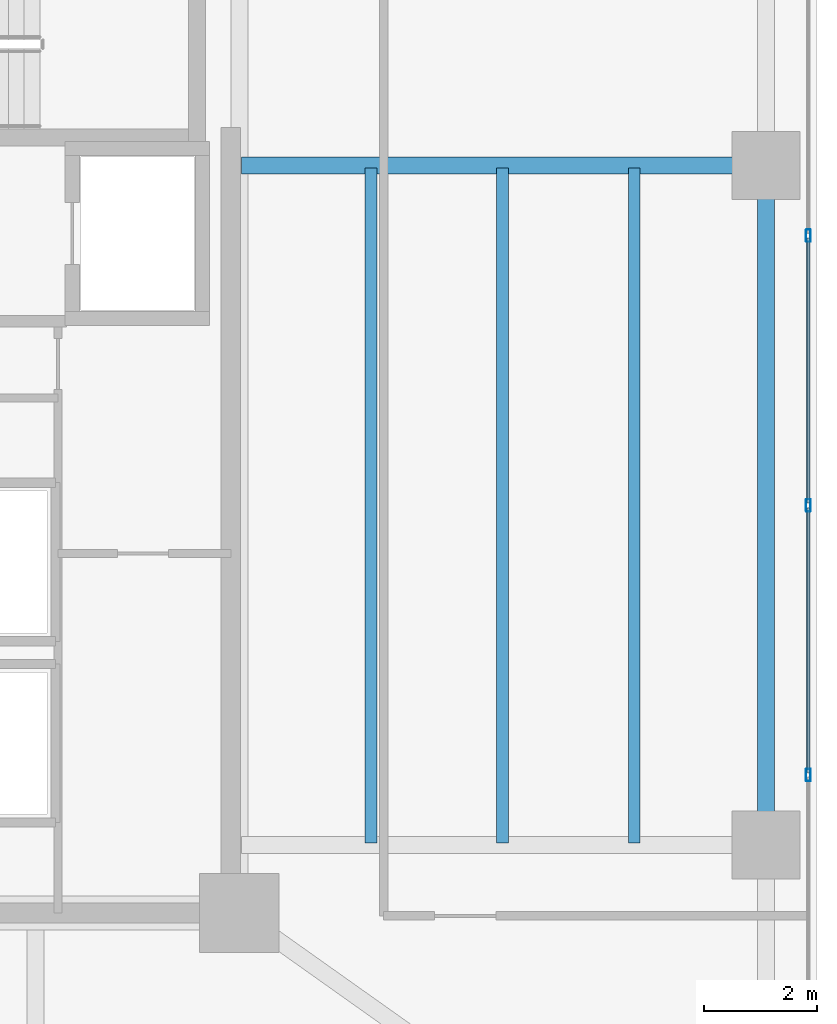
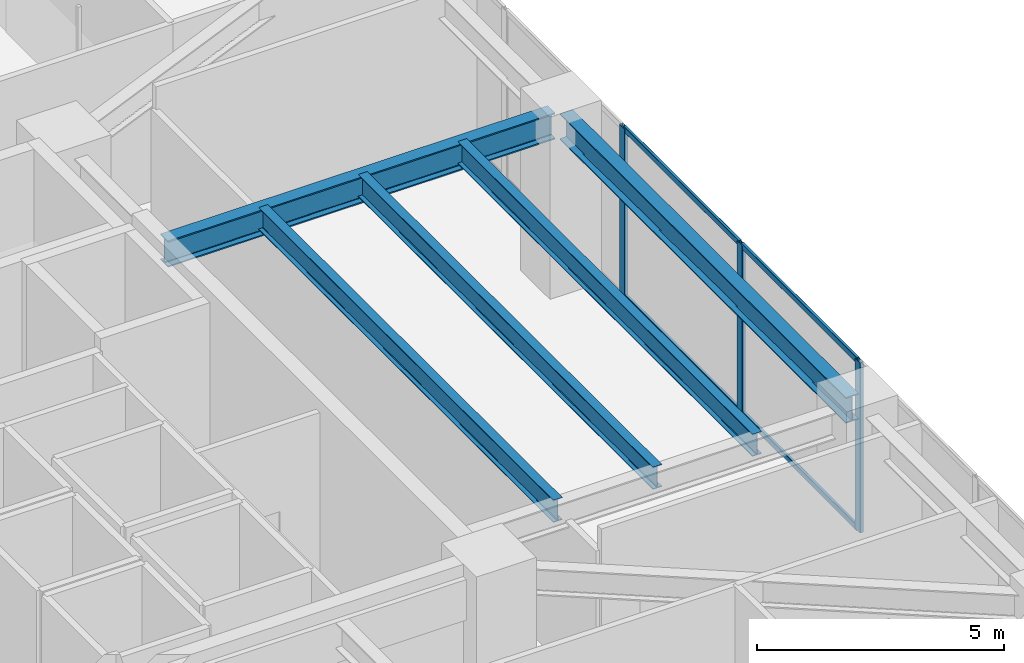
# One storey, part 16 of 40: 7 members, 5 beams, 1 element without a shape of its own.
"""IFC4 building model written with IfcOpenShell, lengths in metres."""

from ifc_helpers import new_model, si_unit, direction, frame, origin, origin_2d, place, context, subcontext, project, spatial, hollow_rectangle, i_section, extrude, material, layer, layer_set, material_profile, profile_set, type_object, element, aggregate, save


model = new_model("IFC4")

# Units and contexts
model_context = context("Model", 3, precision=1e-05, world=origin(), true_north=direction((0.0, 1.0)))
body_context = subcontext(model_context, "Body", "Model", "MODEL_VIEW")
ifc_project = project(units=[si_unit("LENGTHUNIT", "METRE"), si_unit("AREAUNIT", "SQUARE_METRE"), si_unit("VOLUMEUNIT", "CUBIC_METRE"), si_unit("PLANEANGLEUNIT", "RADIAN"), si_unit("MASSUNIT", "GRAM", prefix="KILO")], contexts=[model_context])

# Site, building, storey
site_placement = place(None, origin())
site = spatial("IfcSite", under=ifc_project, at=site_placement, CompositionType="ELEMENT")
building_placement = place(site_placement, origin())
building = spatial("IfcBuilding", under=site, at=building_placement, Name="Tarnavaz Court Tower", CompositionType="ELEMENT")
storey_placement = place(building_placement, frame((0.0, 0.0, 64.199951171875)))
storey = spatial("IfcBuildingStorey", under=building, at=storey_placement, Name="L17", CompositionType="ELEMENT", Elevation=64.199951171875)

# Beams
ifc_material_1 = material(Name="Steel S355", Category="steel")
ifc_material_profile_1 = material_profile(ifc_material_1, i_section(OverallWidth=0.300048828125, OverallDepth=0.64990234375, WebThickness=0.01611328125, FlangeThickness=0.031005859375, FilletRadius=0.027099609375, at=origin_2d()), Name="HEB 650")
ifc_profile_set_1 = profile_set([ifc_material_profile_1], Name="Steel S355")
beam_type_1 = type_object("IfcBeamType", Name="BM-G-HEB650", PredefinedType="USERDEFINED", material=ifc_profile_set_1)
beam_1_placement = place(storey_placement, frame((18.639892578125, 6.0, 3.875), z_axis=(1.0, 0.0, 0.0), x_axis=(0.0, 1.0, 0.0)))
element("IfcBeam", 1, at=beam_1_placement, inside=storey, type_object=beam_type_1, Name="L17 Beam RG-10", ObjectType="GIRDER", PredefinedType="USERDEFINED", context=body_context, shape_type="SweptSolid", body=[
    extrude(i_section(OverallWidth=0.300048828125, OverallDepth=0.64990234375, WebThickness=0.01611328125, FlangeThickness=0.031005859375, FilletRadius=0.027099609375, at=origin_2d()), origin(), (0.0, 0.0, 1.0), 9.0400390625),
])
ifc_material_profile_2 = material_profile(ifc_material_1, i_section(OverallWidth=0.2099609375, OverallDepth=0.550048828125, WebThickness=0.010986328125, FlangeThickness=0.01708984375, FilletRadius=0.02392578125, at=origin_2d()), Name="IPE 550")
ifc_profile_set_2 = profile_set([ifc_material_profile_2], Name="Steel S355")
beam_type_2 = type_object("IfcBeamType", Name="BM-J-IPE550", PredefinedType="JOIST", material=ifc_profile_set_2)
for number, where, z_axis, x_axis, name in (
    (2, (20.925048828125, -5.9599609375, 3.925048828125), (0.0, 1.0, 0.0), (-1.0, 0.0, 0.0), "L17 Beam JE1"),
    (3, (23.25, -5.9599609375, 3.925048828125), (0.0, 1.0, 0.0), (-1.0, 0.0, 0.0), "L17 Beam JE2"),
    (4, (25.574951171875, -5.9599609375, 3.925048828125), (0.0, 1.0, 0.0), (-1.0, 0.0, 0.0), "L17 Beam JE3"),
):
    element("IfcBeam", number, at=place(storey_placement, frame(where, z_axis=z_axis, x_axis=x_axis)), inside=storey, type_object=beam_type_2, Name=name, PredefinedType="JOIST", context=body_context, shape_type="SweptSolid", body=[
        extrude(i_section(OverallWidth=0.2099609375, OverallDepth=0.550048828125, WebThickness=0.010986328125, FlangeThickness=0.01708984375, FilletRadius=0.02392578125, at=origin_2d()), origin(), (0.0, 0.0, 1.0), 11.919921875),
    ])
ifc_material_profile_3 = material_profile(ifc_material_1, i_section(OverallWidth=0.300048828125, OverallDepth=0.639892578125, WebThickness=0.013427734375, FlangeThickness=0.02587890625, FilletRadius=0.027099609375, at=origin_2d()), Name="HEA 650")
ifc_profile_set_3 = profile_set([ifc_material_profile_3], Name="Steel S355")
beam_type_3 = type_object("IfcBeamType", Name="BM-SP-HEA650", PredefinedType="SPANDREL", material=ifc_profile_set_3)
beam_2_placement = place(storey_placement, frame((27.89990234375, -5.780029296875, 3.880126953125), z_axis=(0.0, 1.0, 0.0), x_axis=(-1.0, 0.0, 0.0)))
element("IfcBeam", 5, at=beam_2_placement, inside=storey, type_object=beam_type_3, Name="L17 Beam PR-PE-2-PE-3", PredefinedType="SPANDREL", context=body_context, shape_type="SweptSolid", body=[
    extrude(i_section(OverallWidth=0.300048828125, OverallDepth=0.639892578125, WebThickness=0.013427734375, FlangeThickness=0.02587890625, FilletRadius=0.027099609375, at=origin_2d()), origin(), (0.0, 0.0, 1.0), 11.56005859375),
])

# Curtain wall, members
ifc_material_2 = material(Name="Anodised Aluminium 6063-T6 and Solar Low-E Glazing", Category="aluminium")
ifc_layer = layer(ifc_material_2, 0.199951171875)
ifc_layer_set = layer_set([ifc_layer], Name="Anodised Aluminium 6063-T6 and Solar Low-E Glazing")
curtain_wall_type = type_object("IfcCurtainWallType", Name="CW-SYS-05", PredefinedType="NOTDEFINED", material=ifc_layer_set)
curtain_wall_placement = place(storey_placement, origin())
curtain_wall = element("IfcCurtainWall", 6, at=curtain_wall_placement, inside=storey, type_object=curtain_wall_type, Name="L17 Sky-Portal Curtain Wall 12", PredefinedType="NOTDEFINED")
ifc_material_3 = material(Name="Anodised Aluminium 6063-T6", Category="aluminium")
ifc_material_profile_4 = material_profile(ifc_material_3, hollow_rectangle(XDim=0.0849609375, YDim=0.219970703125, WallThickness=0.006103515625, InnerFilletRadius=0.006103515625, OuterFilletRadius=0.011962890625, at=origin_2d()), Name="ALU RHS 220X85X6")
ifc_profile_set_4 = profile_set([ifc_material_profile_4], Name="Anodised Aluminium 6063-T6")
member_type_1 = type_object("IfcMemberType", Name="CW-MUL-220", PredefinedType="MULLION", material=ifc_profile_set_4)
member_1_placement = place(storey_placement, frame((28.64990234375, 4.762451171875, 0.0), z_axis=(0.0, 0.0, 1.0), x_axis=(1.0, 0.0, 0.0)))
member_1 = element("IfcMember", 7, at=member_1_placement, type_object=member_type_1, Name="CW mullion 4", PredefinedType="MULLION", context=body_context, shape_type="SweptSolid", body=[
    extrude(hollow_rectangle(XDim=0.0849609375, YDim=0.219970703125, WallThickness=0.006103515625, InnerFilletRadius=0.006103515625, OuterFilletRadius=0.011962890625, at=origin_2d()), origin(), (0.0, 0.0, 1.0), 4.199951171875),
])
member_2_placement = place(storey_placement, frame((28.64990234375, 0.0, 0.0), z_axis=(0.0, 0.0, 1.0), x_axis=(1.0, 0.0, 0.0)))
member_2 = element("IfcMember", 8, at=member_2_placement, type_object=member_type_1, Name="CW mullion 5", PredefinedType="MULLION", context=body_context, shape_type="SweptSolid", body=[
    extrude(hollow_rectangle(XDim=0.0849609375, YDim=0.219970703125, WallThickness=0.006103515625, InnerFilletRadius=0.006103515625, OuterFilletRadius=0.011962890625, at=origin_2d()), origin(), (0.0, 0.0, 1.0), 4.199951171875),
])
member_3_placement = place(storey_placement, frame((28.64990234375, -4.762451171875, 0.0), z_axis=(0.0, 0.0, 1.0), x_axis=(1.0, 0.0, 0.0)))
member_3 = element("IfcMember", 9, at=member_3_placement, type_object=member_type_1, Name="CW mullion 6", PredefinedType="MULLION", context=body_context, shape_type="SweptSolid", body=[
    extrude(hollow_rectangle(XDim=0.0849609375, YDim=0.219970703125, WallThickness=0.006103515625, InnerFilletRadius=0.006103515625, OuterFilletRadius=0.011962890625, at=origin_2d()), origin(), (0.0, 0.0, 1.0), 4.199951171875),
])
ifc_material_profile_5 = material_profile(ifc_material_3, hollow_rectangle(XDim=0.06494140625, YDim=0.139892578125, WallThickness=0.00390625, InnerFilletRadius=0.00390625, OuterFilletRadius=0.008056640625, at=origin_2d()), Name="ALU RHS 140X65X4")
ifc_profile_set_5 = profile_set([ifc_material_profile_5], Name="Anodised Aluminium 6063-T6")
member_type_2 = type_object("IfcMemberType", Name="CW-TRN-140", PredefinedType="USERDEFINED", material=ifc_profile_set_5)
member_4_placement = place(storey_placement, frame((28.64990234375, 4.719970703125, 0.032470703125), z_axis=(0.0, -1.0, 0.0), x_axis=(1.0, 0.0, 0.0)))
member_4 = element("IfcMember", 10, at=member_4_placement, type_object=member_type_2, Name="CW transom 4.1", ObjectType="TRANSOM", PredefinedType="USERDEFINED", context=body_context, shape_type="SweptSolid", body=[
    extrude(hollow_rectangle(XDim=0.06494140625, YDim=0.139892578125, WallThickness=0.00390625, InnerFilletRadius=0.00390625, OuterFilletRadius=0.008056640625, at=origin_2d()), origin(), (0.0, 0.0, 1.0), 4.677490234375),
])
member_5_placement = place(storey_placement, frame((28.64990234375, 4.719970703125, 4.16748046875), z_axis=(0.0, -1.0, 0.0), x_axis=(1.0, 0.0, 0.0)))
member_5 = element("IfcMember", 11, at=member_5_placement, type_object=member_type_2, Name="CW transom 4.2", ObjectType="TRANSOM", PredefinedType="USERDEFINED", context=body_context, shape_type="SweptSolid", body=[
    extrude(hollow_rectangle(XDim=0.06494140625, YDim=0.139892578125, WallThickness=0.00390625, InnerFilletRadius=0.00390625, OuterFilletRadius=0.008056640625, at=origin_2d()), origin(), (0.0, 0.0, 1.0), 4.677490234375),
])
member_6_placement = place(storey_placement, frame((28.64990234375, -0.04248046875, 0.032470703125), z_axis=(0.0, -1.0, 0.0), x_axis=(1.0, 0.0, 0.0)))
member_6 = element("IfcMember", 12, at=member_6_placement, type_object=member_type_2, Name="CW transom 5.1", ObjectType="TRANSOM", PredefinedType="USERDEFINED", context=body_context, shape_type="SweptSolid", body=[
    extrude(hollow_rectangle(XDim=0.06494140625, YDim=0.139892578125, WallThickness=0.00390625, InnerFilletRadius=0.00390625, OuterFilletRadius=0.008056640625, at=origin_2d()), origin(), (0.0, 0.0, 1.0), 4.677490234375),
])
member_7_placement = place(storey_placement, frame((28.64990234375, -0.04248046875, 4.16748046875), z_axis=(0.0, -1.0, 0.0), x_axis=(1.0, 0.0, 0.0)))
member_7 = element("IfcMember", 13, at=member_7_placement, type_object=member_type_2, Name="CW transom 5.2", ObjectType="TRANSOM", PredefinedType="USERDEFINED", context=body_context, shape_type="SweptSolid", body=[
    extrude(hollow_rectangle(XDim=0.06494140625, YDim=0.139892578125, WallThickness=0.00390625, InnerFilletRadius=0.00390625, OuterFilletRadius=0.008056640625, at=origin_2d()), origin(), (0.0, 0.0, 1.0), 4.677490234375),
])
aggregate(curtain_wall, [member_1, member_2, member_3, member_4, member_5, member_6, member_7])

save(model, "model.ifc")
